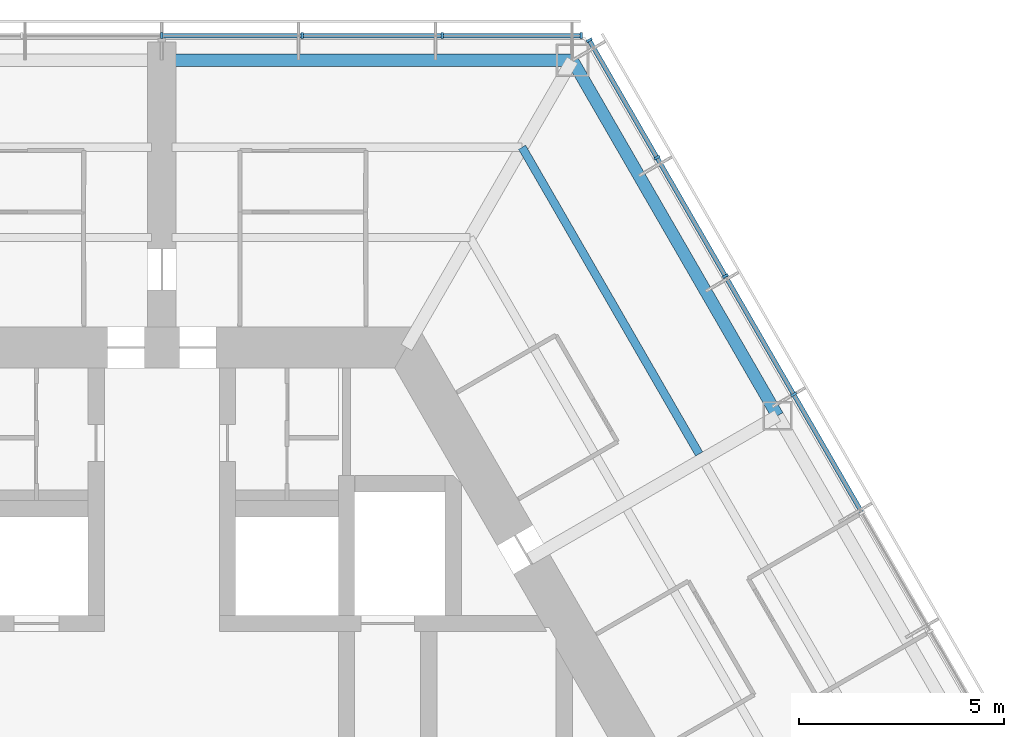
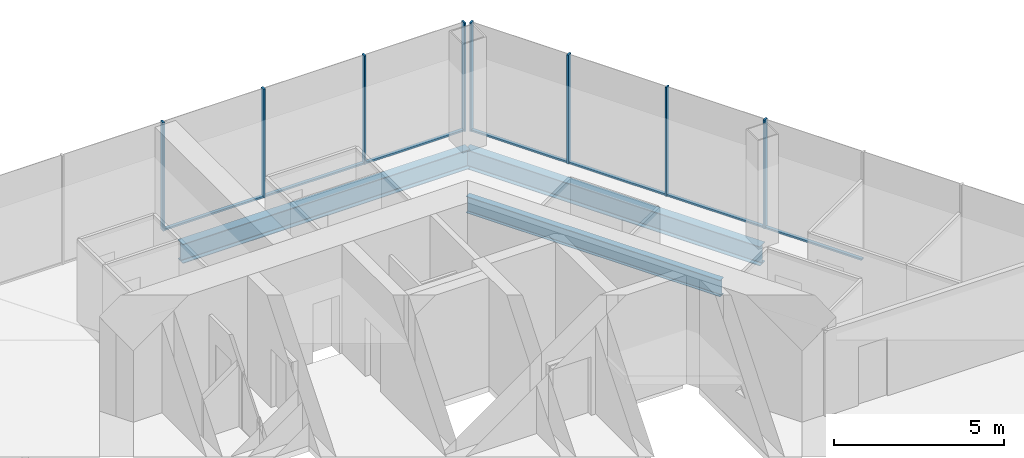
# One storey, part 8 of 18: 15 members, 3 beams, 2 elements without a shape of their own.
"""IFC4 building model written with IfcOpenShell, lengths in metres."""

from ifc_helpers import new_model, si_unit, direction, frame, origin, origin_2d, place, context, subcontext, project, spatial, rectangle, i_section, extrude, material, material_profile, profile_set, type_object, element, aggregate, save


model = new_model("IFC4")

# Units and contexts
model_context = context("Model", 3, precision=1e-05, world=origin(), true_north=direction((0.0, 1.0)))
body_context = subcontext(model_context, "Body", "Model", "MODEL_VIEW")
ifc_project = project(units=[si_unit("LENGTHUNIT", "METRE"), si_unit("AREAUNIT", "SQUARE_METRE"), si_unit("VOLUMEUNIT", "CUBIC_METRE"), si_unit("PLANEANGLEUNIT", "RADIAN"), si_unit("MASSUNIT", "GRAM", prefix="KILO")], contexts=[model_context])

# Site, building, storey
site_placement = place(None, origin())
site = spatial("IfcSite", under=ifc_project, at=site_placement, CompositionType="ELEMENT")
building_placement = place(site_placement, origin())
building = spatial("IfcBuilding", under=site, at=building_placement, Name="Kasaneha Research Tower", CompositionType="ELEMENT")
storey_placement = place(building_placement, frame((0.0, 0.0, 168.199951171875)))
storey = spatial("IfcBuildingStorey", under=building, at=storey_placement, Name="L42", CompositionType="ELEMENT", Elevation=168.199951171875)

# Beam
ifc_material_1 = material(Name="Steel SN490B", Category="steel")
ifc_material_profile_1 = material_profile(ifc_material_1, i_section(OverallWidth=0.199951171875, OverallDepth=0.60009765625, WebThickness=0.010986328125, FlangeThickness=0.01708984375, FilletRadius=0.012939453125, at=origin_2d()), Name="H-600x200x11x17")
ifc_profile_set_1 = profile_set([ifc_material_profile_1], Name="Steel SN490B")
beam_type_1 = type_object("IfcBeamType", Name="B1-3 secondary beam H-600x200x11x17", PredefinedType="JOIST", material=ifc_profile_set_1)
beam_1_placement = place(storey_placement, frame((8.775634765625, 15.199951171875, -0.449951171875), z_axis=(0.500017275495, -0.866015429543, 0.0), x_axis=(0.866015429543, 0.500017275495, 0.0)))
element("IfcBeam", 1, at=beam_1_placement, inside=storey, type_object=beam_type_1, Name="Secondary beam RS030R2 L42", PredefinedType="JOIST", context=body_context, shape_type="SweptSolid", body=[
    extrude(i_section(OverallWidth=0.199951171875, OverallDepth=0.60009765625, WebThickness=0.010986328125, FlangeThickness=0.01708984375, FilletRadius=0.012939453125, at=origin_2d()), origin(), (0.0, 0.0, 1.0), 8.625732421875),
])

# Curtain wall, members
ifc_material_2 = material(Name="Glass and aluminium", Category="aluminium")
curtain_wall_type = type_object("IfcCurtainWallType", Name="Mid-rise office curtain wall", PredefinedType="USERDEFINED", material=ifc_material_2)
curtain_wall_1_placement = place(storey_placement, origin())
curtain_wall_1 = element("IfcCurtainWall", 2, at=curtain_wall_1_placement, inside=storey, type_object=curtain_wall_type, Name="CW-O2 L42 run 06a", ObjectType="UNITISED CURTAIN WALL", PredefinedType="USERDEFINED")
ifc_material_3 = material(Name="Aluminium 6063-T6", Category="aluminium")
ifc_material_profile_2 = material_profile(ifc_material_3, rectangle(XDim=0.06005859375, YDim=0.14990234375, at=origin_2d()), Name="CW-O2 mullion 60x150")
ifc_profile_set_2 = profile_set([ifc_material_profile_2], Name="Aluminium 6063-T6")
member_type_1 = type_object("IfcMemberType", Name="CW-O2 mullion", PredefinedType="MULLION", material=ifc_profile_set_2)
member_1_placement = place(storey_placement, frame((15.392822265625, 9.179931640625, 0.0), z_axis=(0.0, 0.0, 1.0), x_axis=(-0.499999979232, 0.866025415775, 0.0)))
member_1 = element("IfcMember", 3, at=member_1_placement, type_object=member_type_1, Name="CW-O2 mullion 4", PredefinedType="MULLION", context=body_context, shape_type="SweptSolid", body=[
    extrude(rectangle(XDim=0.06005859375, YDim=0.14990234375, at=origin_2d()), origin(), (0.0, 0.0, 1.0), 3.900146484375),
])
member_2_placement = place(storey_placement, frame((13.727294921875, 12.064453125, 0.0), z_axis=(0.0, 0.0, 1.0), x_axis=(-0.499999979232, 0.866025415775, 0.0)))
member_2 = element("IfcMember", 4, at=member_2_placement, type_object=member_type_1, Name="CW-O2 mullion 5", PredefinedType="MULLION", context=body_context, shape_type="SweptSolid", body=[
    extrude(rectangle(XDim=0.06005859375, YDim=0.14990234375, at=origin_2d()), origin(), (0.0, 0.0, 1.0), 3.900146484375),
])
member_3_placement = place(storey_placement, frame((12.061767578125, 14.94921875, 0.0), z_axis=(0.0, 0.0, 1.0), x_axis=(-0.499999979232, 0.866025415775, 0.0)))
member_3 = element("IfcMember", 5, at=member_3_placement, type_object=member_type_1, Name="CW-O2 mullion 6", PredefinedType="MULLION", context=body_context, shape_type="SweptSolid", body=[
    extrude(rectangle(XDim=0.06005859375, YDim=0.14990234375, at=origin_2d()), origin(), (0.0, 0.0, 1.0), 3.900146484375),
])
member_4_placement = place(storey_placement, frame((10.411376953125, 17.807861328125, 0.0), z_axis=(0.0, 0.0, 1.0), x_axis=(-0.499999979232, 0.866025415775, 0.0)))
member_4 = element("IfcMember", 6, at=member_4_placement, type_object=member_type_1, Name="CW-O2 mullion 7", PredefinedType="MULLION", context=body_context, shape_type="SweptSolid", body=[
    extrude(rectangle(XDim=0.06005859375, YDim=0.14990234375, at=origin_2d()), origin(), (0.0, 0.0, 1.0), 3.900146484375),
])

curtain_wall_2_placement = place(storey_placement, origin())
curtain_wall_2 = element("IfcCurtainWall", 7, at=curtain_wall_2_placement, inside=storey, type_object=curtain_wall_type, Name="CW-O2 L42 run 07a", ObjectType="UNITISED CURTAIN WALL", PredefinedType="USERDEFINED")
member_5_placement = place(storey_placement, frame((10.21630859375, 17.92041015625, 0.0), z_axis=(0.0, 0.0, 1.0), x_axis=(-1.0, 0.0, 0.0)))
member_5 = element("IfcMember", 8, at=member_5_placement, type_object=member_type_1, Name="CW-O2 mullion 1", PredefinedType="MULLION", context=body_context, shape_type="SweptSolid", body=[
    extrude(rectangle(XDim=0.06005859375, YDim=0.14990234375, at=origin_2d()), origin(), (0.0, 0.0, 1.0), 3.900146484375),
])
member_6_placement = place(storey_placement, frame((6.8310546875, 17.92041015625, 0.0), z_axis=(0.0, 0.0, 1.0), x_axis=(-1.0, 0.0, 0.0)))
member_6 = element("IfcMember", 9, at=member_6_placement, type_object=member_type_1, Name="CW-O2 mullion 2", PredefinedType="MULLION", context=body_context, shape_type="SweptSolid", body=[
    extrude(rectangle(XDim=0.06005859375, YDim=0.14990234375, at=origin_2d()), origin(), (0.0, 0.0, 1.0), 3.900146484375),
])
member_7_placement = place(storey_placement, frame((3.41552734375, 17.92041015625, 0.0), z_axis=(0.0, 0.0, 1.0), x_axis=(-1.0, 0.0, 0.0)))
member_7 = element("IfcMember", 10, at=member_7_placement, type_object=member_type_1, Name="CW-O2 mullion 3", PredefinedType="MULLION", context=body_context, shape_type="SweptSolid", body=[
    extrude(rectangle(XDim=0.06005859375, YDim=0.14990234375, at=origin_2d()), origin(), (0.0, 0.0, 1.0), 3.900146484375),
])
member_8_placement = place(storey_placement, frame((0.0, 17.92041015625, 0.0), z_axis=(0.0, 0.0, 1.0), x_axis=(-1.0, 0.0, 0.0)))
member_8 = element("IfcMember", 11, at=member_8_placement, type_object=member_type_1, Name="CW-O2 mullion 4", PredefinedType="MULLION", context=body_context, shape_type="SweptSolid", body=[
    extrude(rectangle(XDim=0.06005859375, YDim=0.14990234375, at=origin_2d()), origin(), (0.0, 0.0, 1.0), 3.900146484375),
])

# Member
ifc_material_4 = material(Name="Aluminium 6063-T6", Category="aluminium")
ifc_material_profile_3 = material_profile(ifc_material_4, rectangle(XDim=0.110107421875, YDim=0.06005859375, at=origin_2d()), Name="CW-O2 transom 110x60")
ifc_profile_set_3 = profile_set([ifc_material_profile_3], Name="Aluminium 6063-T6")
member_type_2 = type_object("IfcMemberType", Name="CW-O2 transom", PredefinedType="USERDEFINED", material=ifc_profile_set_3)
member_9_placement = place(storey_placement, frame((17.043212890625, 6.3212890625, 0.030029296875), z_axis=(-0.50003259116, 0.866006586452, 0.0), x_axis=(-0.866006586452, -0.50003259116, 0.0)))
member_9 = element("IfcMember", 12, at=member_9_placement, type_object=member_type_2, Name="CW-O2 transom 3", ObjectType="TRANSOM", PredefinedType="USERDEFINED", context=body_context, shape_type="SweptSolid", body=[
    extrude(rectangle(XDim=0.110107421875, YDim=0.06005859375, at=origin_2d()), origin(), (0.0, 0.0, 1.0), 3.270751953125),
])

member_10_placement = place(storey_placement, frame((15.3779296875, 9.205810546875, 0.030029296875), z_axis=(-0.500000270186, 0.866025247793, 0.0), x_axis=(-0.866025247793, -0.500000270186, 0.0)))
member_10 = element("IfcMember", 13, at=member_10_placement, type_object=member_type_2, Name="CW-O2 transom 4", ObjectType="TRANSOM", PredefinedType="USERDEFINED", context=body_context, shape_type="SweptSolid", body=[
    extrude(rectangle(XDim=0.110107421875, YDim=0.06005859375, at=origin_2d()), origin(), (0.0, 0.0, 1.0), 3.27099609375),
])

member_11_placement = place(storey_placement, frame((13.71240234375, 12.090576171875, 0.030029296875), z_axis=(-0.500000270186, 0.866025247793, 0.0), x_axis=(-0.866025247793, -0.500000270186, 0.0)))
member_11 = element("IfcMember", 14, at=member_11_placement, type_object=member_type_2, Name="CW-O2 transom 5", ObjectType="TRANSOM", PredefinedType="USERDEFINED", context=body_context, shape_type="SweptSolid", body=[
    extrude(rectangle(XDim=0.110107421875, YDim=0.06005859375, at=origin_2d()), origin(), (0.0, 0.0, 1.0), 3.27099609375),
])

member_12_placement = place(storey_placement, frame((12.046875, 14.97509765625, 0.030029296875), z_axis=(-0.499955025697, 0.866051368154, 0.0), x_axis=(-0.866051368154, -0.499955025697, 0.0)))
member_12 = element("IfcMember", 15, at=member_12_placement, type_object=member_type_2, Name="CW-O2 transom 6", ObjectType="TRANSOM", PredefinedType="USERDEFINED", context=body_context, shape_type="SweptSolid", body=[
    extrude(rectangle(XDim=0.110107421875, YDim=0.06005859375, at=origin_2d()), origin(), (0.0, 0.0, 1.0), 3.240966796875),
])

aggregate(curtain_wall_1, [member_1, member_2, member_3, member_4, member_9, member_10, member_11, member_12])

member_13_placement = place(storey_placement, frame((10.1865234375, 17.92041015625, 0.030029296875), z_axis=(-1.0, 0.0, 0.0), x_axis=(0.0, -1.0, 0.0)))
member_13 = element("IfcMember", 16, at=member_13_placement, type_object=member_type_2, Name="CW-O2 transom 1", ObjectType="TRANSOM", PredefinedType="USERDEFINED", context=body_context, shape_type="SweptSolid", body=[
    extrude(rectangle(XDim=0.110107421875, YDim=0.06005859375, at=origin_2d()), origin(), (0.0, 0.0, 1.0), 3.32568359375),
])

member_14_placement = place(storey_placement, frame((6.801025390625, 17.92041015625, 0.030029296875), z_axis=(-1.0, 0.0, 0.0), x_axis=(0.0, -1.0, 0.0)))
member_14 = element("IfcMember", 17, at=member_14_placement, type_object=member_type_2, Name="CW-O2 transom 2", ObjectType="TRANSOM", PredefinedType="USERDEFINED", context=body_context, shape_type="SweptSolid", body=[
    extrude(rectangle(XDim=0.110107421875, YDim=0.06005859375, at=origin_2d()), origin(), (0.0, 0.0, 1.0), 3.35546875),
])

member_15_placement = place(storey_placement, frame((3.385498046875, 17.92041015625, 0.030029296875), z_axis=(-1.0, 0.0, 0.0), x_axis=(0.0, -1.0, 0.0)))
member_15 = element("IfcMember", 18, at=member_15_placement, type_object=member_type_2, Name="CW-O2 transom 3", ObjectType="TRANSOM", PredefinedType="USERDEFINED", context=body_context, shape_type="SweptSolid", body=[
    extrude(rectangle(XDim=0.110107421875, YDim=0.06005859375, at=origin_2d()), origin(), (0.0, 0.0, 1.0), 3.35546875),
])

aggregate(curtain_wall_2, [member_5, member_6, member_7, member_8, member_13, member_14, member_15])

# Beams
ifc_material_5 = material(Name="Steel SN490B", Category="steel")
ifc_material_profile_4 = material_profile(ifc_material_5, i_section(OverallWidth=0.300048828125, OverallDepth=0.69189453125, WebThickness=0.012939453125, FlangeThickness=0.02001953125, FilletRadius=0.01806640625, at=origin_2d()), Name="H-692x300x13x20")
ifc_profile_set_4 = profile_set([ifc_material_profile_4], Name="Steel SN490B")
beam_type_2 = type_object("IfcBeamType", Name="G3-3 plate edge girder H-692x300x13x20", PredefinedType="BEAM", material=ifc_profile_set_4)
beam_2_placement = place(storey_placement, frame((10.0, 17.320556640625, -0.495849609375), z_axis=(-1.0, 0.0, 0.0), x_axis=(0.0, -1.0, 0.0)))
element("IfcBeam", 19, at=beam_2_placement, inside=storey, type_object=beam_type_2, Name="Plate edge girder PEAP L42", PredefinedType="BEAM", context=body_context, shape_type="SweptSolid", body=[
    extrude(i_section(OverallWidth=0.300048828125, OverallDepth=0.69189453125, WebThickness=0.012939453125, FlangeThickness=0.02001953125, FilletRadius=0.01806640625, at=origin_2d()), origin(), (0.0, 0.0, 1.0), 9.75),
])
ifc_material_6 = material(Name="Steel SN490B", Category="steel")
ifc_material_profile_5 = material_profile(ifc_material_6, i_section(OverallWidth=0.300048828125, OverallDepth=0.69189453125, WebThickness=0.012939453125, FlangeThickness=0.02001953125, FilletRadius=0.01806640625, at=origin_2d()), Name="H-692x300x13x20")
ifc_profile_set_5 = profile_set([ifc_material_profile_5], Name="Steel SN490B")
beam_type_3 = type_object("IfcBeamType", Name="SB1-3 spandrel beam H-692x300x13x20", PredefinedType="SPANDREL", material=ifc_profile_set_5)
beam_3_placement = place(storey_placement, frame((10.0, 17.320556640625, -0.495849609375), z_axis=(0.499993662806, -0.866029062534, 0.0), x_axis=(0.866029062534, 0.499993662806, 0.0)))
element("IfcBeam", 20, at=beam_3_placement, inside=storey, type_object=beam_type_3, Name="Spandrel beam SR030R L42", PredefinedType="SPANDREL", context=body_context, shape_type="SweptSolid", body=[
    extrude(i_section(OverallWidth=0.300048828125, OverallDepth=0.69189453125, WebThickness=0.012939453125, FlangeThickness=0.02001953125, FilletRadius=0.01806640625, at=origin_2d()), origin(), (0.0, 0.0, 1.0), 10.000244140625),
])

save(model, "model.ifc")
